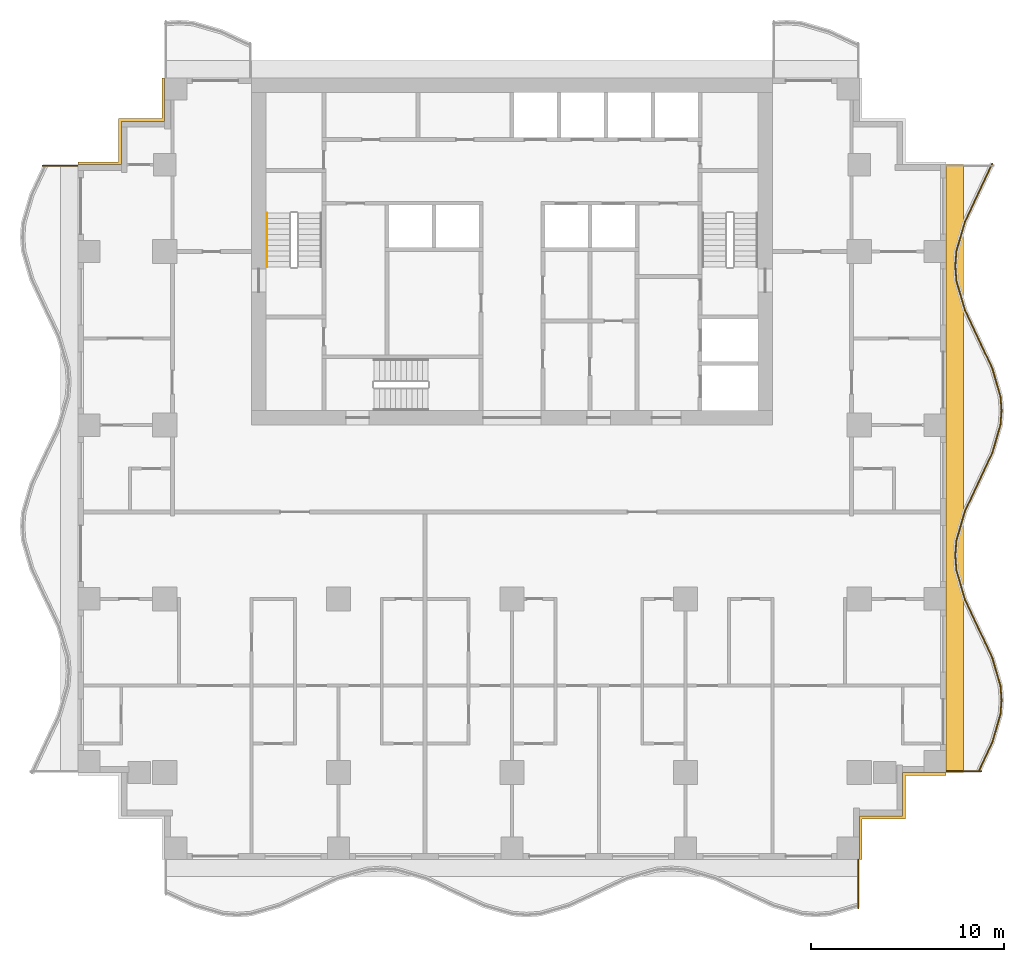
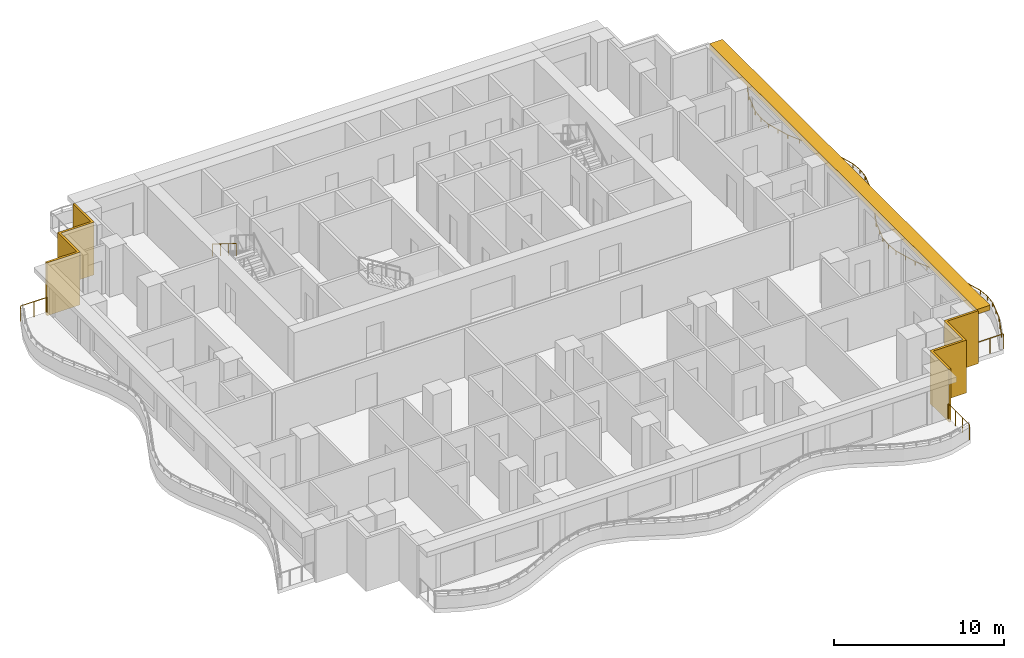
# One storey, part 9 of 10: 5 railings, 3 shading devices.
"""IFC4 building model written with IfcOpenShell, lengths in metres."""

from ifc_helpers import new_model, si_unit, direction, frame, origin, origin_2d, place, context, subcontext, project, spatial, polyline, rectangle, circle, outline, extrude, material, layer, layer_set, type_object, element, save


model = new_model("IFC4")

# Units and contexts
model_context = context("Model", 3, precision=1e-05, world=origin(), true_north=direction((0.0, 1.0)))
body_context = subcontext(model_context, "Body", "Model", "MODEL_VIEW")
ifc_project = project(units=[si_unit("LENGTHUNIT", "METRE"), si_unit("AREAUNIT", "SQUARE_METRE"), si_unit("VOLUMEUNIT", "CUBIC_METRE"), si_unit("PLANEANGLEUNIT", "RADIAN"), si_unit("MASSUNIT", "GRAM", prefix="KILO")], contexts=[model_context])

# Site, building, storey
site_placement = place(None, origin())
site = spatial("IfcSite", under=ifc_project, at=site_placement, CompositionType="ELEMENT")
building_placement = place(site_placement, origin())
building = spatial("IfcBuilding", under=site, at=building_placement, Name="Orbiselva Terraces", CompositionType="ELEMENT")
storey_placement = place(building_placement, frame((0.0, 0.0, 144.0)))
storey = spatial("IfcBuildingStorey", under=building, at=storey_placement, Name="L36", CompositionType="ELEMENT", Elevation=144.0)

# Railings
ifc_material_1 = material(Name="Stainless steel", Category="steel")
railing_type_1 = type_object("IfcRailingType", Name="CORE-HANDRAIL-900", PredefinedType="HANDRAIL", material=ifc_material_1)
railing_1_placement = place(storey_placement, frame((-12.7, 15.5, 2.072727)))
element("IfcRailing", 1, at=railing_1_placement, inside=storey, type_object=railing_type_1, Name="L36 S1 stair handrail 2", PredefinedType="HANDRAIL", context=body_context, shape_type="SweptSolid", body=[
    extrude(circle(Radius=0.024, at=origin_2d()), frame((0.0, 0.0, 0.876), z_axis=(0.0, -0.851088519012, 0.52502222125), x_axis=(1.0, 0.0, 0.0)), (0.0, 0.0, 1.0), 3.289905),
    extrude(circle(Radius=0.021, at=origin_2d()), origin(), (0.0, 0.0, 1.0), 0.852),
    extrude(circle(Radius=0.021, at=origin_2d()), frame((0.0, -0.933333, 0.575758)), (0.0, 0.0, 1.0), 0.852),
    extrude(circle(Radius=0.021, at=origin_2d()), frame((0.0, -1.866667, 1.151515)), (0.0, 0.0, 1.0), 0.852),
    extrude(circle(Radius=0.021, at=origin_2d()), frame((0.0, -2.8, 1.727273)), (0.0, 0.0, 1.0), 0.852),
])
ifc_material_2 = material(Name="Bonded two-ply safety glass balustrade, stainless steel posts", Category="steel")
railing_type_2 = type_object("IfcRailingType", Name="ENV-BALUSTRADE-1200", PredefinedType="BALUSTRADE", material=ifc_material_2)
railing_2_placement = place(storey_placement, frame((24.186882, -13.446809, 0.9)))
element("IfcRailing", 2, at=railing_2_placement, inside=storey, type_object=railing_type_2, Name="Balcony balustrade L36 E", PredefinedType="BALUSTRADE", context=body_context, shape_type="SweptSolid", body=[
    extrude(outline(polyline([(0.028868, 0.0), (0.014434, 0.025), (-0.014434, 0.025), (-0.028868, 0.0), (-0.014434, -0.025), (0.014434, -0.025), (0.028868, 0.0)])), frame((0.0, 0.0, 0.275), z_axis=(0.425529912322, 0.904944359461, 0.0), x_axis=(-0.904944359461, 0.425529912322, 0.0)), (0.0, 0.0, 1.0), 1.647746),
    extrude(outline(polyline([(0.028868, 0.0), (0.014434, 0.025), (-0.014434, 0.025), (-0.028868, 0.0), (-0.014434, -0.025), (0.014434, -0.025), (0.028868, 0.0)])), frame((0.701165, 1.491118, 0.275), z_axis=(0.279071528957, 0.960270317007, 0.0), x_axis=(-0.960270317007, 0.279071528957, 0.0)), (0.0, 0.0, 1.0), 1.539408),
    extrude(outline(polyline([(0.028868, 0.0), (0.014434, 0.025), (-0.014434, 0.025), (-0.028868, 0.0), (-0.014434, -0.025), (0.014434, -0.025), (0.028868, 0.0)])), frame((1.13077, 2.969366, 0.275), z_axis=(0.078069536776, 0.996947916106, 0.0), x_axis=(-0.996947916106, 0.078069536776, 0.0)), (0.0, 0.0, 1.0), 0.72967),
    extrude(outline(polyline([(0.028868, 0.0), (0.014434, 0.025), (-0.014434, 0.025), (-0.028868, 0.0), (-0.014434, -0.025), (0.014434, -0.025), (0.028868, 0.0)])), frame((1.187735, 3.696809, 0.275), z_axis=(-0.078069536776, 0.996947916106, 0.0), x_axis=(-0.996947916106, -0.078069536776, 0.0)), (0.0, 0.0, 1.0), 0.72967),
    extrude(outline(polyline([(0.028868, 0.0), (0.014434, 0.025), (-0.014434, 0.025), (-0.028868, 0.0), (-0.014434, -0.025), (0.014434, -0.025), (0.028868, 0.0)])), frame((1.13077, 4.424252, 0.275), z_axis=(-0.279071528957, 0.960270317007, 0.0), x_axis=(-0.960270317007, -0.279071528957, 0.0)), (0.0, 0.0, 1.0), 1.539408),
    extrude(outline(polyline([(0.028868, 0.0), (0.014434, 0.025), (-0.014434, 0.025), (-0.028868, 0.0), (-0.014434, -0.025), (0.014434, -0.025), (0.028868, 0.0)])), frame((0.701165, 5.9025, 0.275), z_axis=(-0.425529912322, 0.904944359461, 0.0), x_axis=(-0.904944359461, -0.425529912322, 0.0)), (0.0, 0.0, 1.0), 1.647746),
    extrude(outline(polyline([(0.028868, 0.0), (0.014434, 0.025), (-0.014434, 0.025), (-0.028868, 0.0), (-0.014434, -0.025), (0.014434, -0.025), (0.028868, 0.0)])), frame((0.0, 7.393618, 0.275), z_axis=(-0.425530342069, 0.904944157382, 0.0), x_axis=(-0.904944157382, -0.425530342069, 0.0)), (0.0, 0.0, 1.0), 1.667376),
    extrude(outline(polyline([(0.028868, 0.0), (0.014434, 0.025), (-0.014434, 0.025), (-0.028868, 0.0), (-0.014434, -0.025), (0.014434, -0.025), (0.028868, 0.0)])), frame((-0.709519, 8.9025, 0.275), z_axis=(-0.279070928786, 0.960270491427, 0.0), x_axis=(-0.960270491427, -0.279070928786, 0.0)), (0.0, 0.0, 1.0), 1.584712),
    extrude(outline(polyline([(0.028868, 0.0), (0.014434, 0.025), (-0.014434, 0.025), (-0.028868, 0.0), (-0.014434, -0.025), (0.014434, -0.025), (0.028868, 0.0)])), frame((-1.151766, 10.424252, 0.275), z_axis=(-0.078071061106, 0.996947796737, 0.0), x_axis=(-0.996947796737, -0.078071061106, 0.0)), (0.0, 0.0, 1.0), 0.774922),
    extrude(outline(polyline([(0.028868, 0.0), (0.014434, 0.025), (-0.014434, 0.025), (-0.028868, 0.0), (-0.014434, -0.025), (0.014434, -0.025), (0.028868, 0.0)])), frame((-1.212265, 11.196809, 0.275), z_axis=(0.078071061106, 0.996947796737, 0.0), x_axis=(-0.996947796737, 0.078071061106, 0.0)), (0.0, 0.0, 1.0), 0.774922),
    extrude(outline(polyline([(0.028868, 0.0), (0.014434, 0.025), (-0.014434, 0.025), (-0.028868, 0.0), (-0.014434, -0.025), (0.014434, -0.025), (0.028868, 0.0)])), frame((-1.151766, 11.969366, 0.275), z_axis=(0.279070928786, 0.960270491427, 0.0), x_axis=(-0.960270491427, 0.279070928786, 0.0)), (0.0, 0.0, 1.0), 1.584712),
    extrude(outline(polyline([(0.028868, 0.0), (0.014434, 0.025), (-0.014434, 0.025), (-0.028868, 0.0), (-0.014434, -0.025), (0.014434, -0.025), (0.028868, 0.0)])), frame((-0.709519, 13.491118, 0.275), z_axis=(0.425530342069, 0.904944157382, 0.0), x_axis=(-0.904944157382, 0.425530342069, 0.0)), (0.0, 0.0, 1.0), 1.667376),
    extrude(outline(polyline([(0.028868, 0.0), (0.014434, 0.025), (-0.014434, 0.025), (-0.028868, 0.0), (-0.014434, -0.025), (0.014434, -0.025), (0.028868, 0.0)])), frame((0.0, 15.0, 0.275), z_axis=(0.425529912322, 0.904944359461, 0.0), x_axis=(-0.904944359461, 0.425529912322, 0.0)), (0.0, 0.0, 1.0), 1.647746),
    extrude(outline(polyline([(0.028868, 0.0), (0.014434, 0.025), (-0.014434, 0.025), (-0.028868, 0.0), (-0.014434, -0.025), (0.014434, -0.025), (0.028868, 0.0)])), frame((0.701165, 16.491118, 0.275), z_axis=(0.279071528957, 0.960270317007, 0.0), x_axis=(-0.960270317007, 0.279071528957, 0.0)), (0.0, 0.0, 1.0), 1.539408),
    extrude(outline(polyline([(0.028868, 0.0), (0.014434, 0.025), (-0.014434, 0.025), (-0.028868, 0.0), (-0.014434, -0.025), (0.014434, -0.025), (0.028868, 0.0)])), frame((1.13077, 17.969366, 0.275), z_axis=(0.078069536776, 0.996947916106, 0.0), x_axis=(-0.996947916106, 0.078069536776, 0.0)), (0.0, 0.0, 1.0), 0.72967),
    extrude(outline(polyline([(0.028868, 0.0), (0.014434, 0.025), (-0.014434, 0.025), (-0.028868, 0.0), (-0.014434, -0.025), (0.014434, -0.025), (0.028868, 0.0)])), frame((1.187735, 18.696809, 0.275), z_axis=(-0.078069536776, 0.996947916106, 0.0), x_axis=(-0.996947916106, -0.078069536776, 0.0)), (0.0, 0.0, 1.0), 0.72967),
    extrude(outline(polyline([(0.028868, 0.0), (0.014434, 0.025), (-0.014434, 0.025), (-0.028868, 0.0), (-0.014434, -0.025), (0.014434, -0.025), (0.028868, 0.0)])), frame((1.13077, 19.424252, 0.275), z_axis=(-0.279071528957, 0.960270317007, 0.0), x_axis=(-0.960270317007, -0.279071528957, 0.0)), (0.0, 0.0, 1.0), 1.539408),
    extrude(outline(polyline([(0.028868, 0.0), (0.014434, 0.025), (-0.014434, 0.025), (-0.028868, 0.0), (-0.014434, -0.025), (0.014434, -0.025), (0.028868, 0.0)])), frame((0.701165, 20.9025, 0.275), z_axis=(-0.425529912322, 0.904944359461, 0.0), x_axis=(-0.904944359461, -0.425529912322, 0.0)), (0.0, 0.0, 1.0), 1.647746),
    extrude(outline(polyline([(0.028868, 0.0), (0.014434, 0.025), (-0.014434, 0.025), (-0.028868, 0.0), (-0.014434, -0.025), (0.014434, -0.025), (0.028868, 0.0)])), frame((0.0, 22.393618, 0.275), z_axis=(-0.425530342069, 0.904944157382, 0.0), x_axis=(-0.904944157382, -0.425530342069, 0.0)), (0.0, 0.0, 1.0), 1.667376),
    extrude(outline(polyline([(0.028868, 0.0), (0.014434, 0.025), (-0.014434, 0.025), (-0.028868, 0.0), (-0.014434, -0.025), (0.014434, -0.025), (0.028868, 0.0)])), frame((-0.709519, 23.9025, 0.275), z_axis=(-0.279070928786, 0.960270491427, 0.0), x_axis=(-0.960270491427, -0.279070928786, 0.0)), (0.0, 0.0, 1.0), 1.584712),
    extrude(outline(polyline([(0.028868, 0.0), (0.014434, 0.025), (-0.014434, 0.025), (-0.028868, 0.0), (-0.014434, -0.025), (0.014434, -0.025), (0.028868, 0.0)])), frame((-1.151766, 25.424252, 0.275), z_axis=(-0.078071061106, 0.996947796737, 0.0), x_axis=(-0.996947796737, -0.078071061106, 0.0)), (0.0, 0.0, 1.0), 0.774922),
    extrude(outline(polyline([(0.028868, 0.0), (0.014434, 0.025), (-0.014434, 0.025), (-0.028868, 0.0), (-0.014434, -0.025), (0.014434, -0.025), (0.028868, 0.0)])), frame((-1.212265, 26.196809, 0.275), z_axis=(0.078071061106, 0.996947796737, 0.0), x_axis=(-0.996947796737, 0.078071061106, 0.0)), (0.0, 0.0, 1.0), 0.774922),
    extrude(outline(polyline([(0.028868, 0.0), (0.014434, 0.025), (-0.014434, 0.025), (-0.028868, 0.0), (-0.014434, -0.025), (0.014434, -0.025), (0.028868, 0.0)])), frame((-1.151766, 26.969366, 0.275), z_axis=(0.279070928786, 0.960270491427, 0.0), x_axis=(-0.960270491427, 0.279070928786, 0.0)), (0.0, 0.0, 1.0), 1.584712),
    extrude(outline(polyline([(0.028868, 0.0), (0.014434, 0.025), (-0.014434, 0.025), (-0.028868, 0.0), (-0.014434, -0.025), (0.014434, -0.025), (0.028868, 0.0)])), frame((-0.709519, 28.491118, 0.275), z_axis=(0.425530342069, 0.904944157382, 0.0), x_axis=(-0.904944157382, 0.425530342069, 0.0)), (0.0, 0.0, 1.0), 1.667376),
    extrude(outline(polyline([(0.028868, 0.0), (0.014434, 0.025), (-0.014434, 0.025), (-0.028868, 0.0), (-0.014434, -0.025), (0.014434, -0.025), (0.028868, 0.0)])), frame((0.0, 30.0, 0.275), z_axis=(0.425530128467, 0.904944257823, 0.0), x_axis=(-0.904944257823, 0.425530128467, 0.0)), (0.0, 0.0, 1.0), 1.657561),
    extrude(rectangle(XDim=0.05, YDim=0.05, at=origin_2d()), origin(), (0.0, 0.0, 1.0), 0.25),
    extrude(rectangle(XDim=0.05, YDim=0.05, at=origin_2d()), frame((0.350582, 0.745559, 0.0)), (0.0, 0.0, 1.0), 0.25),
    extrude(rectangle(XDim=0.05, YDim=0.05, at=origin_2d()), frame((0.701165, 1.491118, 0.0)), (0.0, 0.0, 1.0), 0.25),
    extrude(rectangle(XDim=0.05, YDim=0.05, at=origin_2d()), frame((0.915967, 2.230242, 0.0)), (0.0, 0.0, 1.0), 0.25),
    extrude(rectangle(XDim=0.05, YDim=0.05, at=origin_2d()), frame((1.13077, 2.969366, 0.0)), (0.0, 0.0, 1.0), 0.25),
    extrude(rectangle(XDim=0.05, YDim=0.05, at=origin_2d()), frame((1.187735, 3.696809, 0.0)), (0.0, 0.0, 1.0), 0.25),
    extrude(rectangle(XDim=0.05, YDim=0.05, at=origin_2d()), frame((1.13077, 4.424252, 0.0)), (0.0, 0.0, 1.0), 0.25),
    extrude(rectangle(XDim=0.05, YDim=0.05, at=origin_2d()), frame((0.915967, 5.163376, 0.0)), (0.0, 0.0, 1.0), 0.25),
    extrude(rectangle(XDim=0.05, YDim=0.05, at=origin_2d()), frame((0.701165, 5.9025, 0.0)), (0.0, 0.0, 1.0), 0.25),
    extrude(rectangle(XDim=0.05, YDim=0.05, at=origin_2d()), frame((0.350582, 6.648059, 0.0)), (0.0, 0.0, 1.0), 0.25),
    extrude(rectangle(XDim=0.05, YDim=0.05, at=origin_2d()), frame((0.0, 7.393618, 0.0)), (0.0, 0.0, 1.0), 0.25),
    extrude(rectangle(XDim=0.05, YDim=0.05, at=origin_2d()), frame((-0.35476, 8.148059, 0.0)), (0.0, 0.0, 1.0), 0.25),
    extrude(rectangle(XDim=0.05, YDim=0.05, at=origin_2d()), frame((-0.709519, 8.9025, 0.0)), (0.0, 0.0, 1.0), 0.25),
    extrude(rectangle(XDim=0.05, YDim=0.05, at=origin_2d()), frame((-0.930643, 9.663376, 0.0)), (0.0, 0.0, 1.0), 0.25),
    extrude(rectangle(XDim=0.05, YDim=0.05, at=origin_2d()), frame((-1.151766, 10.424252, 0.0)), (0.0, 0.0, 1.0), 0.25),
    extrude(rectangle(XDim=0.05, YDim=0.05, at=origin_2d()), frame((-1.212265, 11.196809, 0.0)), (0.0, 0.0, 1.0), 0.25),
    extrude(rectangle(XDim=0.05, YDim=0.05, at=origin_2d()), frame((-1.151766, 11.969366, 0.0)), (0.0, 0.0, 1.0), 0.25),
    extrude(rectangle(XDim=0.05, YDim=0.05, at=origin_2d()), frame((-0.930643, 12.730242, 0.0)), (0.0, 0.0, 1.0), 0.25),
    extrude(rectangle(XDim=0.05, YDim=0.05, at=origin_2d()), frame((-0.709519, 13.491118, 0.0)), (0.0, 0.0, 1.0), 0.25),
    extrude(rectangle(XDim=0.05, YDim=0.05, at=origin_2d()), frame((-0.35476, 14.245559, 0.0)), (0.0, 0.0, 1.0), 0.25),
    extrude(rectangle(XDim=0.05, YDim=0.05, at=origin_2d()), frame((0.0, 15.0, 0.0)), (0.0, 0.0, 1.0), 0.25),
    extrude(rectangle(XDim=0.05, YDim=0.05, at=origin_2d()), frame((0.350582, 15.745559, 0.0)), (0.0, 0.0, 1.0), 0.25),
    extrude(rectangle(XDim=0.05, YDim=0.05, at=origin_2d()), frame((0.701165, 16.491118, 0.0)), (0.0, 0.0, 1.0), 0.25),
    extrude(rectangle(XDim=0.05, YDim=0.05, at=origin_2d()), frame((0.915967, 17.230242, 0.0)), (0.0, 0.0, 1.0), 0.25),
    extrude(rectangle(XDim=0.05, YDim=0.05, at=origin_2d()), frame((1.13077, 17.969366, 0.0)), (0.0, 0.0, 1.0), 0.25),
    extrude(rectangle(XDim=0.05, YDim=0.05, at=origin_2d()), frame((1.187735, 18.696809, 0.0)), (0.0, 0.0, 1.0), 0.25),
    extrude(rectangle(XDim=0.05, YDim=0.05, at=origin_2d()), frame((1.13077, 19.424252, 0.0)), (0.0, 0.0, 1.0), 0.25),
    extrude(rectangle(XDim=0.05, YDim=0.05, at=origin_2d()), frame((0.915967, 20.163376, 0.0)), (0.0, 0.0, 1.0), 0.25),
    extrude(rectangle(XDim=0.05, YDim=0.05, at=origin_2d()), frame((0.701165, 20.9025, 0.0)), (0.0, 0.0, 1.0), 0.25),
    extrude(rectangle(XDim=0.05, YDim=0.05, at=origin_2d()), frame((0.350582, 21.648059, 0.0)), (0.0, 0.0, 1.0), 0.25),
    extrude(rectangle(XDim=0.05, YDim=0.05, at=origin_2d()), frame((0.0, 22.393618, 0.0)), (0.0, 0.0, 1.0), 0.25),
    extrude(rectangle(XDim=0.05, YDim=0.05, at=origin_2d()), frame((-0.35476, 23.148059, 0.0)), (0.0, 0.0, 1.0), 0.25),
    extrude(rectangle(XDim=0.05, YDim=0.05, at=origin_2d()), frame((-0.709519, 23.9025, 0.0)), (0.0, 0.0, 1.0), 0.25),
    extrude(rectangle(XDim=0.05, YDim=0.05, at=origin_2d()), frame((-0.930643, 24.663376, 0.0)), (0.0, 0.0, 1.0), 0.25),
    extrude(rectangle(XDim=0.05, YDim=0.05, at=origin_2d()), frame((-1.151766, 25.424252, 0.0)), (0.0, 0.0, 1.0), 0.25),
    extrude(rectangle(XDim=0.05, YDim=0.05, at=origin_2d()), frame((-1.212265, 26.196809, 0.0)), (0.0, 0.0, 1.0), 0.25),
    extrude(rectangle(XDim=0.05, YDim=0.05, at=origin_2d()), frame((-1.151766, 26.969366, 0.0)), (0.0, 0.0, 1.0), 0.25),
    extrude(rectangle(XDim=0.05, YDim=0.05, at=origin_2d()), frame((-0.930643, 27.730242, 0.0)), (0.0, 0.0, 1.0), 0.25),
    extrude(rectangle(XDim=0.05, YDim=0.05, at=origin_2d()), frame((-0.709519, 28.491118, 0.0)), (0.0, 0.0, 1.0), 0.25),
    extrude(rectangle(XDim=0.05, YDim=0.05, at=origin_2d()), frame((-0.35476, 29.245559, 0.0)), (0.0, 0.0, 1.0), 0.25),
    extrude(rectangle(XDim=0.05, YDim=0.05, at=origin_2d()), frame((0.0, 30.0, 0.0)), (0.0, 0.0, 1.0), 0.25),
    extrude(rectangle(XDim=0.05, YDim=0.05, at=origin_2d()), frame((0.352671, 30.75, 0.0)), (0.0, 0.0, 1.0), 0.25),
    extrude(rectangle(XDim=0.05, YDim=0.05, at=origin_2d()), frame((0.705342, 31.5, 0.0)), (0.0, 0.0, 1.0), 0.25),
])
ifc_material_3 = material(Name="Stainless steel rail and posts", Category="steel")
railing_type_3 = type_object("IfcRailingType", Name="ENV-GUARD-1105", PredefinedType="BALUSTRADE", material=ifc_material_3)
railing_3_placement = place(storey_placement, frame((17.94, -20.529516, 0.0)))
element("IfcRailing", 3, at=railing_3_placement, inside=storey, type_object=railing_type_3, Name="Balcony end guard L36 S", PredefinedType="BALUSTRADE", context=body_context, shape_type="SweptSolid", body=[
    extrude(outline(polyline([(0.028868, 0.0), (0.014434, 0.025), (-0.014434, 0.025), (-0.028868, 0.0), (-0.014434, -0.025), (0.014434, -0.025), (0.028868, 0.0)])), frame((0.0, 0.0, 1.08), z_axis=(0.0, 1.0, 0.0), x_axis=(-1.0, 0.0, 0.0)), (0.0, 0.0, 1.0), 2.504516),
    extrude(rectangle(XDim=0.05, YDim=0.05, at=origin_2d()), origin(), (0.0, 0.0, 1.0), 1.055),
    extrude(rectangle(XDim=0.05, YDim=0.05, at=origin_2d()), frame((0.0, 0.834839, 0.0)), (0.0, 0.0, 1.0), 1.055),
    extrude(rectangle(XDim=0.05, YDim=0.05, at=origin_2d()), frame((0.0, 1.669677, 0.0)), (0.0, 0.0, 1.0), 1.055),
    extrude(rectangle(XDim=0.05, YDim=0.05, at=origin_2d()), frame((0.0, 2.504516, 0.0)), (0.0, 0.0, 1.0), 1.055),
])
railing_4_placement = place(storey_placement, frame((24.330156, -13.44, 0.0)))
element("IfcRailing", 4, at=railing_4_placement, inside=storey, type_object=railing_type_3, Name="Balcony end guard L36 E", PredefinedType="BALUSTRADE", context=body_context, shape_type="SweptSolid", body=[
    extrude(outline(polyline([(0.028868, 0.0), (0.014434, 0.025), (-0.014434, 0.025), (-0.028868, 0.0), (-0.014434, -0.025), (0.014434, -0.025), (0.028868, 0.0)])), frame((0.0, 0.0, 1.08), z_axis=(-1.0, 0.0, 0.0), x_axis=(0.0, -1.0, 0.0)), (0.0, 0.0, 1.0), 1.805156),
    extrude(rectangle(XDim=0.05, YDim=0.05, at=origin_2d()), origin(), (0.0, 0.0, 1.0), 1.055),
    extrude(rectangle(XDim=0.05, YDim=0.05, at=origin_2d()), frame((-0.902578, 0.0, 0.0)), (0.0, 0.0, 1.0), 1.055),
    extrude(rectangle(XDim=0.05, YDim=0.05, at=origin_2d()), frame((-1.805156, 0.0, 0.0)), (0.0, 0.0, 1.0), 1.055),
])
railing_5_placement = place(storey_placement, frame((-24.330156, 17.94, 0.0)))
element("IfcRailing", 5, at=railing_5_placement, inside=storey, type_object=railing_type_3, Name="Balcony end guard L36 W", PredefinedType="BALUSTRADE", context=body_context, shape_type="SweptSolid", body=[
    extrude(outline(polyline([(0.028868, 0.0), (0.014434, 0.025), (-0.014434, 0.025), (-0.028868, 0.0), (-0.014434, -0.025), (0.014434, -0.025), (0.028868, 0.0)])), frame((0.0, 0.0, 1.08), z_axis=(1.0, 0.0, 0.0), x_axis=(0.0, 1.0, 0.0)), (0.0, 0.0, 1.0), 1.805156),
    extrude(rectangle(XDim=0.05, YDim=0.05, at=origin_2d()), origin(), (0.0, 0.0, 1.0), 1.055),
    extrude(rectangle(XDim=0.05, YDim=0.05, at=origin_2d()), frame((0.902578, 0.0, 0.0)), (0.0, 0.0, 1.0), 1.055),
    extrude(rectangle(XDim=0.05, YDim=0.05, at=origin_2d()), frame((1.805156, 0.0, 0.0)), (0.0, 0.0, 1.0), 1.055),
])

# Shading devices
ifc_material_4 = material(Name="Terracotta louvre screen", Category="masonry")
ifc_layer_1 = layer(ifc_material_4, 0.15)
ifc_layer_set_1 = layer_set([ifc_layer_1], Name="Terracotta louvre screen")
shading_device_type_1 = type_object("IfcShadingDeviceType", Name="ENV-SCREEN-150", PredefinedType="USERDEFINED", material=ifc_layer_set_1)
shading_device_1_placement = place(storey_placement, frame((0.0, 0.0, -0.3)))
element("IfcShadingDevice", 6, at=shading_device_1_placement, inside=storey, type_object=shading_device_type_1, Name="Louvre screen L36 NW", ObjectType="SCREEN", PredefinedType="USERDEFINED", context=body_context, shape_type="SweptSolid", body=[
    extrude(outline(polyline([(-18.15, 22.5), (-18.15, 20.4), (-20.4, 20.4), (-20.4, 18.15), (-22.5, 18.15), (-22.5, 18.0), (-20.25, 18.0), (-20.25, 20.25), (-18.0, 20.25), (-18.0, 22.5), (-18.15, 22.5)])), origin(), (0.0, 0.0, 1.0), 3.8),
])
shading_device_2_placement = place(storey_placement, frame((0.0, 0.0, -0.3)))
element("IfcShadingDevice", 7, at=shading_device_2_placement, inside=storey, type_object=shading_device_type_1, Name="Louvre screen L36 SE", ObjectType="SCREEN", PredefinedType="USERDEFINED", context=body_context, shape_type="SweptSolid", body=[
    extrude(outline(polyline([(18.15, -18.0), (18.15, -15.9), (20.4, -15.9), (20.4, -13.65), (22.5, -13.65), (22.5, -13.5), (20.25, -13.5), (20.25, -15.75), (18.0, -15.75), (18.0, -18.0), (18.15, -18.0)])), origin(), (0.0, 0.0, 1.0), 3.8),
])
ifc_material_5 = material(Name="Terracotta baguette sunshade", Category="masonry")
ifc_layer_2 = layer(ifc_material_5, 0.35)
ifc_layer_set_2 = layer_set([ifc_layer_2], Name="Terracotta baguette sunshade")
shading_device_type_2 = type_object("IfcShadingDeviceType", Name="ENV-SUNSHADE-900x350", PredefinedType="USERDEFINED", material=ifc_layer_set_2)
shading_device_3_placement = place(storey_placement, frame((0.0, 0.0, 3.15)))
element("IfcShadingDevice", 8, at=shading_device_3_placement, inside=storey, type_object=shading_device_type_2, Name="Sunshade band L36 E", ObjectType="SUNSHADE", PredefinedType="USERDEFINED", context=body_context, shape_type="SweptSolid", body=[
    extrude(outline(polyline([(23.4, -13.5), (23.4, 18.0), (22.5, 18.0), (22.5, -13.5), (23.4, -13.5)])), origin(), (0.0, 0.0, 1.0), 0.35),
])

save(model, "model.ifc")
